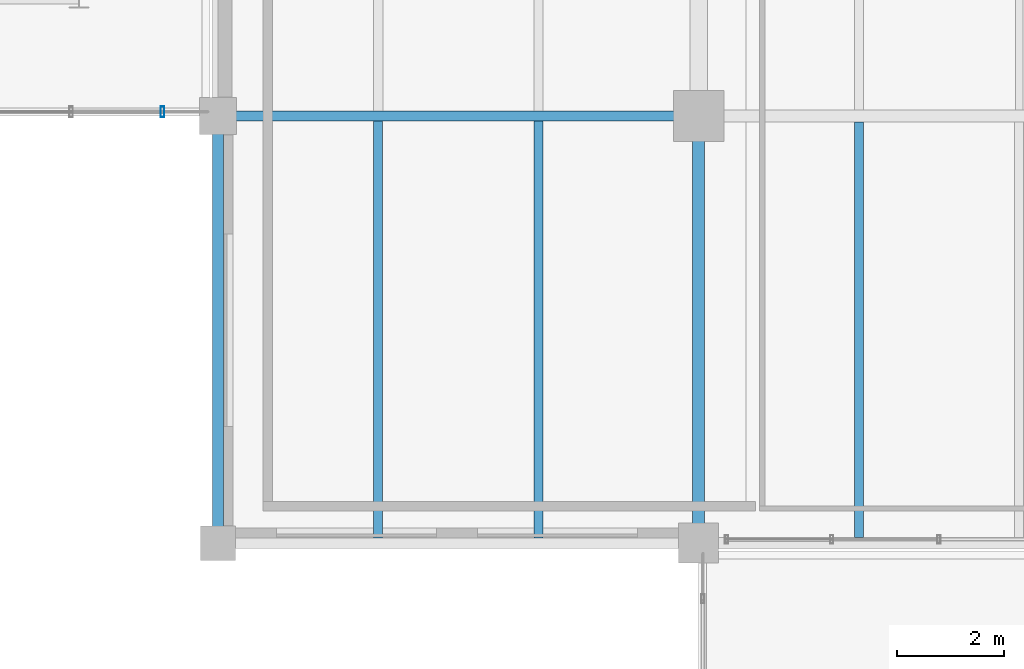
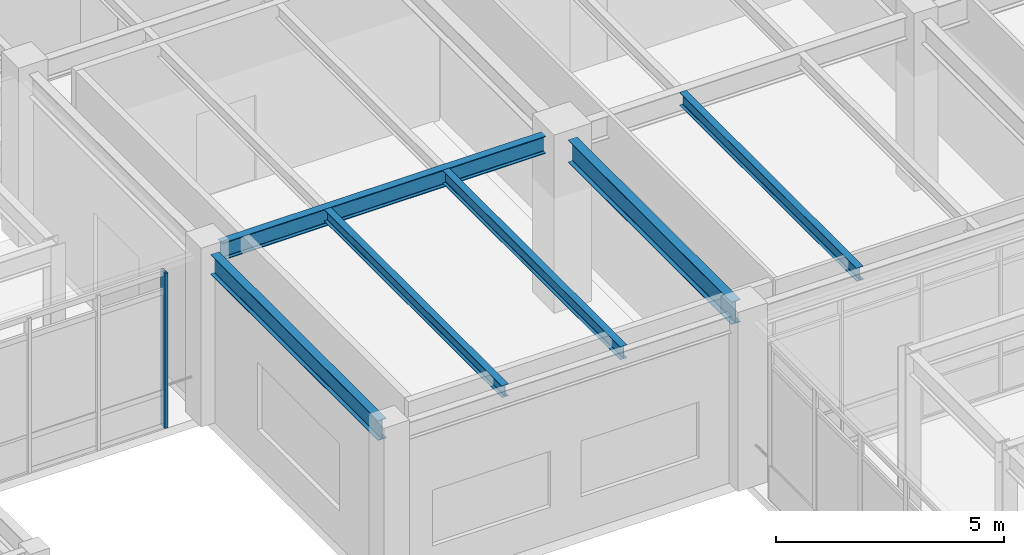
# One storey, part 88 of 200: 6 beams, 1 member, 1 element without a shape of its own.
"""IFC4 building model written with IfcOpenShell, lengths in metres."""

from ifc_helpers import new_model, si_unit, direction, frame, origin, origin_2d, place, context, subcontext, project, spatial, hollow_rectangle, i_section, extrude, material, material_profile, profile_set, type_object, element, aggregate, save


model = new_model("IFC4")

# Units and contexts
model_context = context("Model", 3, precision=1e-05, world=origin(), true_north=direction((0.0, 1.0)))
body_context = subcontext(model_context, "Body", "Model", "MODEL_VIEW")
ifc_project = project(units=[si_unit("LENGTHUNIT", "METRE"), si_unit("AREAUNIT", "SQUARE_METRE"), si_unit("VOLUMEUNIT", "CUBIC_METRE"), si_unit("PLANEANGLEUNIT", "RADIAN"), si_unit("MASSUNIT", "GRAM", prefix="KILO"), si_unit("THERMODYNAMICTEMPERATUREUNIT", "KELVIN"), si_unit("POWERUNIT", "WATT")], contexts=[model_context])

# Site, building, storey
site_placement = place(None, origin())
site = spatial("IfcSite", under=ifc_project, at=site_placement, CompositionType="ELEMENT")
building_placement = place(site_placement, origin())
building = spatial("IfcBuilding", under=site, at=building_placement, Name="Tepalcoro Natatorium and Aquatics Centre", CompositionType="ELEMENT")
storey_placement = place(building_placement, frame((0.0, 0.0, 5.39990234375)))
storey = spatial("IfcBuildingStorey", under=building, at=storey_placement, Name="L01", CompositionType="ELEMENT", Elevation=5.39990234375)

# Beams
ifc_material_1 = material(Name="Steel ASTM A992 Grade 50 (Fy 345 MPa)", Category="steel")
ifc_material_profile_1 = material_profile(ifc_material_1, i_section(OverallWidth=0.193115234375, OverallDepth=0.467041015625, WebThickness=0.010986328125, FlangeThickness=0.01904296875, FilletRadius=0.013916015625, at=origin_2d()), Name="W18X65")
ifc_profile_set_1 = profile_set([ifc_material_profile_1], Name="Steel ASTM A992 Grade 50 (Fy 345 MPa)")
beam_type_1 = type_object("IfcBeamType", Name="BM_W18x65", PredefinedType="BEAM", material=ifc_profile_set_1)
beam_1_placement = place(storey_placement, frame((98.3349609375, 94.0, 4.3115234375), z_axis=(1.0, 0.0, 0.0), x_axis=(0.0, 1.0, 0.0)))
element("IfcBeam", 1, at=beam_1_placement, inside=storey, type_object=beam_type_1, Name="V5 L01 Grid Girder X", PredefinedType="BEAM", context=body_context, shape_type="SweptSolid", body=[
    extrude(i_section(OverallWidth=0.193115234375, OverallDepth=0.467041015625, WebThickness=0.010986328125, FlangeThickness=0.01904296875, FilletRadius=0.013916015625, at=origin_2d()), origin(), (0.0, 0.0, 1.0), 8.205078125),
])
ifc_material_profile_2 = material_profile(ifc_material_1, i_section(OverallWidth=0.22802734375, OverallDepth=0.60693359375, WebThickness=0.010986328125, FlangeThickness=0.01708984375, FilletRadius=0.013916015625, at=origin_2d()), Name="W24X76")
ifc_profile_set_2 = profile_set([ifc_material_profile_2], Name="Steel ASTM A992 Grade 50 (Fy 345 MPa)")
beam_type_2 = type_object("IfcBeamType", Name="BM_W24x76", PredefinedType="BEAM", material=ifc_profile_set_2)
beam_2_placement = place(storey_placement, frame((107.0, 86.360107421875, 4.24169921875), z_axis=(0.0, 1.0, 0.0), x_axis=(-1.0, 0.0, 0.0)))
element("IfcBeam", 2, at=beam_2_placement, inside=storey, type_object=beam_type_2, Name="V5 L01 Grid Girder Y", PredefinedType="BEAM", context=body_context, shape_type="SweptSolid", body=[
    extrude(i_section(OverallWidth=0.22802734375, OverallDepth=0.60693359375, WebThickness=0.010986328125, FlangeThickness=0.01708984375, FilletRadius=0.013916015625, at=origin_2d()), origin(), (0.0, 0.0, 1.0), 7.179931640625),
])

# Curtain wall, member
ifc_material_2 = material(Name="Bronze-Anodised Extruded Aluminium Alloy EN AW-6063 T6", Category="aluminium")
curtain_wall_type = type_object("IfcCurtainWallType", Name="CW_LINK_150", PredefinedType="USERDEFINED", material=ifc_material_2)
curtain_wall_placement = place(storey_placement, origin())
curtain_wall = element("IfcCurtainWall", 3, at=curtain_wall_placement, inside=storey, type_object=curtain_wall_type, Name="North Spine Seismic Link Glazed Wall S L01", ObjectType="UNITISED STOREFRONT", PredefinedType="USERDEFINED")
ifc_material_profile_3 = material_profile(ifc_material_2, hollow_rectangle(XDim=0.070068359375, YDim=0.199951171875, WallThickness=0.0048828125, at=origin_2d()), Name="AL70X200X5")
ifc_profile_set_3 = profile_set([ifc_material_profile_3], Name="Bronze-Anodised Extruded Aluminium Alloy EN AW-6063 T6")
member_type = type_object("IfcMemberType", Name="CW_MUL_70x200", PredefinedType="MULLION", material=ifc_profile_set_3)
member_placement = place(storey_placement, frame((96.9599609375, 94.080078125, 0.02001953125), z_axis=(0.0, 0.0, 1.0), x_axis=(1.0, 0.0, 0.0)))
member = element("IfcMember", 4, at=member_placement, type_object=member_type, Name="CW_LINK_150 Curtain Wall Mullion", PredefinedType="MULLION", context=body_context, shape_type="SweptSolid", body=[
    extrude(hollow_rectangle(XDim=0.070068359375, YDim=0.199951171875, WallThickness=0.0048828125, at=origin_2d()), origin(), (0.0, 0.0, 1.0), 4.16015625),
])
aggregate(curtain_wall, [member])

# Beams
ifc_material_profile_4 = material_profile(ifc_material_1, i_section(OverallWidth=0.1669921875, OverallDepth=0.318115234375, WebThickness=0.008056640625, FlangeThickness=0.012939453125, FilletRadius=0.013916015625, at=origin_2d()), Name="W12X35")
ifc_profile_set_4 = profile_set([ifc_material_profile_4], Name="Steel ASTM A992 Grade 50 (Fy 345 MPa)")
beam_type_3 = type_object("IfcBeamType", Name="JS_W12x35", PredefinedType="JOIST", material=ifc_profile_set_4)
beam_3_placement = place(storey_placement, frame((101.0, 86.095458984375, 4.385986328125), z_axis=(0.0, 1.0, 0.0), x_axis=(-1.0, 0.0, 0.0)))
element("IfcBeam", 5, at=beam_3_placement, inside=storey, type_object=beam_type_3, Name="V5 L01 Floor Joist", PredefinedType="JOIST", context=body_context, shape_type="SweptSolid", body=[
    extrude(i_section(OverallWidth=0.1669921875, OverallDepth=0.318115234375, WebThickness=0.008056640625, FlangeThickness=0.012939453125, FilletRadius=0.013916015625, at=origin_2d()), origin(), (0.0, 0.0, 1.0), 7.80810546875),
])
ifc_material_profile_5 = material_profile(ifc_material_1, i_section(OverallWidth=0.1708984375, OverallDepth=0.35107421875, WebThickness=0.007080078125, FlangeThickness=0.010009765625, FilletRadius=0.013916015625, at=origin_2d()), Name="W14X30")
ifc_profile_set_5 = profile_set([ifc_material_profile_5], Name="Steel ASTM A992 Grade 50 (Fy 345 MPa)")
beam_type_4 = type_object("IfcBeamType", Name="JS_W14x30", PredefinedType="JOIST", material=ifc_profile_set_5)
beam_4_placement = place(storey_placement, frame((104.0, 86.095458984375, 4.36962890625), z_axis=(0.0, 1.0, 0.0), x_axis=(-1.0, 0.0, 0.0)))
element("IfcBeam", 6, at=beam_4_placement, inside=storey, type_object=beam_type_4, Name="V5 L01 Floor Joist", PredefinedType="JOIST", context=body_context, shape_type="SweptSolid", body=[
    extrude(i_section(OverallWidth=0.1708984375, OverallDepth=0.35107421875, WebThickness=0.007080078125, FlangeThickness=0.010009765625, FilletRadius=0.013916015625, at=origin_2d()), origin(), (0.0, 0.0, 1.0), 7.80810546875),
])
beam_5_placement = place(storey_placement, frame((110.0, 86.10498046875, 4.36962890625), z_axis=(0.0, 1.0, 0.0), x_axis=(-1.0, 0.0, 0.0)))
element("IfcBeam", 7, at=beam_5_placement, inside=storey, type_object=beam_type_4, Name="V5 L01 Floor Joist", PredefinedType="JOIST", context=body_context, shape_type="SweptSolid", body=[
    extrude(i_section(OverallWidth=0.1708984375, OverallDepth=0.35107421875, WebThickness=0.007080078125, FlangeThickness=0.010009765625, FilletRadius=0.013916015625, at=origin_2d()), origin(), (0.0, 0.0, 1.0), 7.781005859375),
])
ifc_material_profile_6 = material_profile(ifc_material_1, i_section(OverallWidth=0.2099609375, OverallDepth=0.535888671875, WebThickness=0.010986328125, FlangeThickness=0.01708984375, FilletRadius=0.013916015625, at=origin_2d()), Name="W21X68")
ifc_profile_set_6 = profile_set([ifc_material_profile_6], Name="Steel ASTM A992 Grade 50 (Fy 345 MPa)")
beam_type_5 = type_object("IfcBeamType", Name="SP_W21x68", PredefinedType="SPANDREL", material=ifc_profile_set_6)
beam_6_placement = place(storey_placement, frame((98.0, 86.31005859375, 4.277099609375), z_axis=(0.0, 1.0, 0.0), x_axis=(-1.0, 0.0, 0.0)))
element("IfcBeam", 8, at=beam_6_placement, inside=storey, type_object=beam_type_5, Name="V5 L01 Grid Girder Y", PredefinedType="SPANDREL", context=body_context, shape_type="SweptSolid", body=[
    extrude(i_section(OverallWidth=0.2099609375, OverallDepth=0.535888671875, WebThickness=0.010986328125, FlangeThickness=0.01708984375, FilletRadius=0.013916015625, at=origin_2d()), origin(), (0.0, 0.0, 1.0), 7.35498046875),
])

save(model, "model.ifc")
